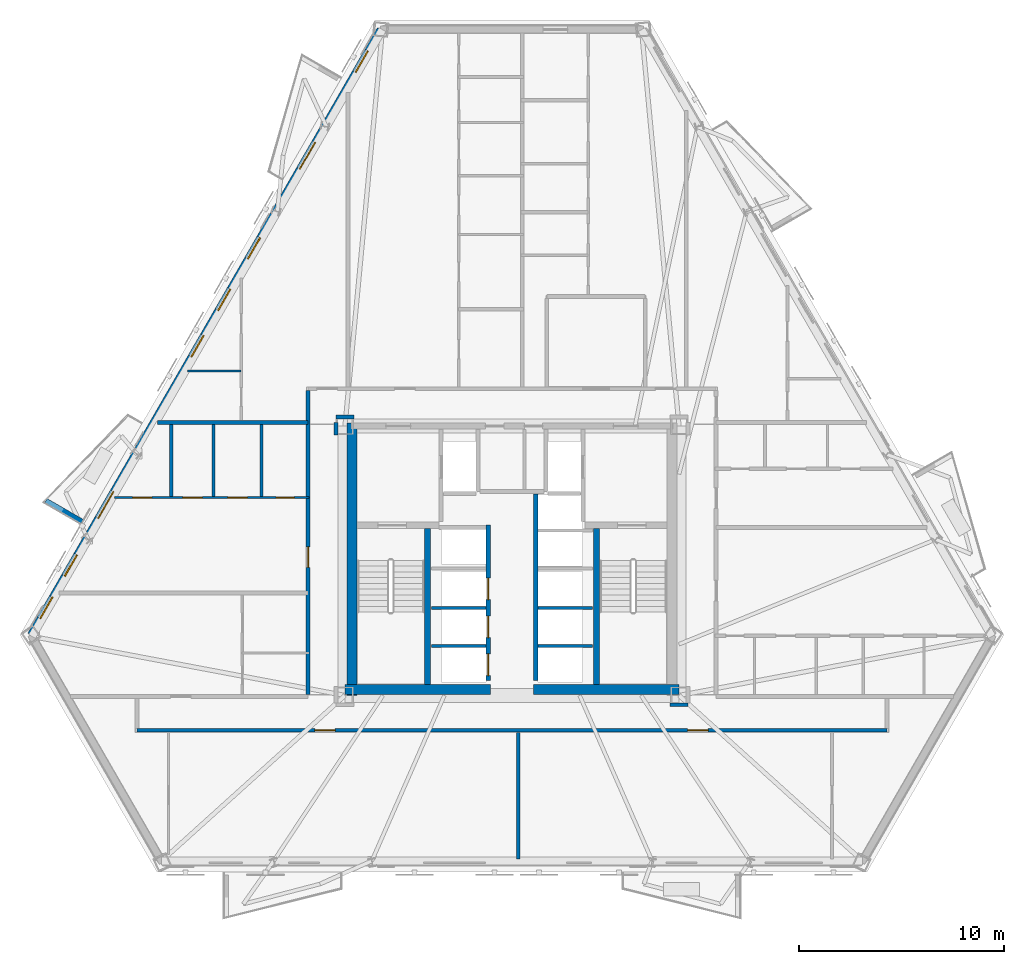
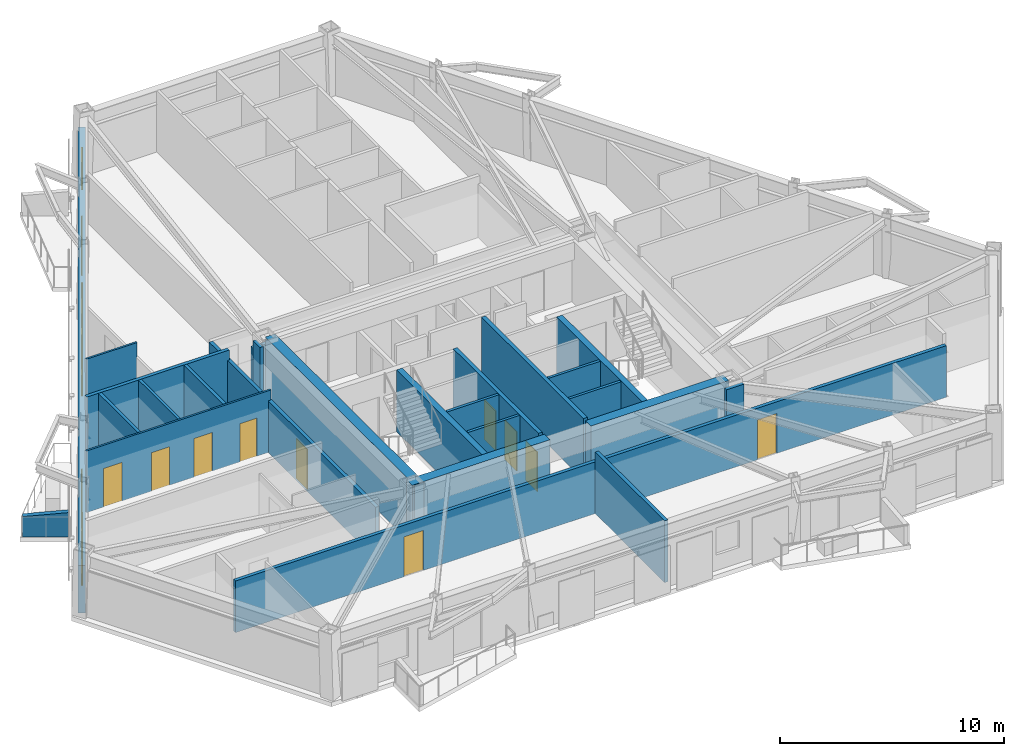
# One storey, part 3 of 11: 25 walls, 12 doors, 6 windows, 18 openings.
"""IFC4 building model written with IfcOpenShell, lengths in metres."""

from ifc_helpers import new_model, si_unit, direction, frame, frame_2d, origin, place, context, subcontext, project, spatial, polyline, rectangle, outline, extrude, material, layer, layer_set, type_object, element, fill, save


model = new_model("IFC4")

# Units and contexts
model_context = context("Model", 3, precision=1e-05, world=origin(), true_north=direction((0.0, 1.0)))
body_context = subcontext(model_context, "Body", "Model", "MODEL_VIEW")
ifc_project = project(units=[si_unit("LENGTHUNIT", "METRE"), si_unit("AREAUNIT", "SQUARE_METRE"), si_unit("VOLUMEUNIT", "CUBIC_METRE"), si_unit("PLANEANGLEUNIT", "RADIAN"), si_unit("MASSUNIT", "GRAM", prefix="KILO")], contexts=[model_context])

# Site, building, storey
site_placement = place(None, origin())
site = spatial("IfcSite", under=ifc_project, at=site_placement, CompositionType="ELEMENT")
building_placement = place(site_placement, origin())
building = spatial("IfcBuilding", under=site, at=building_placement, Name="Oramaril Tower", CompositionType="ELEMENT")
storey_placement = place(building_placement, frame((0.0, 0.0, 82.5)))
storey = spatial("IfcBuildingStorey", under=building, at=storey_placement, Name="L21", CompositionType="ELEMENT", Elevation=82.5)

# Wall, openings, doors, windows
ifc_material_1 = material(Name="Warm Cream Limestone", Category="masonry")
ifc_layer_1 = layer(ifc_material_1, 0.340087890625)
ifc_layer_set_1 = layer_set([ifc_layer_1], Name="WT-EXT34")
wall_type_1 = type_object("IfcWallType", Name="WT-EXT34", PredefinedType="SOLIDWALL", material=ifc_layer_set_1)
wall_1_placement = place(storey_placement, frame((31.078857421875, 43.499755859375, 0.0), z_axis=(0.0, 0.0, 1.0), x_axis=(-0.499998999238, -0.866025981574, 0.0)))
wall_1 = element("IfcWall", 1, at=wall_1_placement, inside=storey, type_object=wall_type_1, Name="L21 Tower Limestone Facade Wall 6M", PredefinedType="SOLIDWALL", context=body_context, shape_type="SweptSolid", body=[
    extrude(rectangle(XDim=34.1083984375, YDim=0.340087890625, at=frame_2d((17.05419921875, 0.0))), origin(), (0.0, 0.0, 1.0), 2.577880859375),
])
opening_1_placement = place(wall_1_placement, frame((6.369384765625, 0.0, 0.0)))
opening_1 = element("IfcOpeningElement", 2, at=opening_1_placement, cuts=wall_1, Name="Opening D-L21-BAL-NW1", PredefinedType="OPENING", context=body_context, shape_type="SweptSolid", body=[
    extrude(rectangle(XDim=1.5, YDim=2.199951171875, at=frame_2d((0.75, 1.10009765625))), frame((0.0, 0.169921875, 0.0), z_axis=(0.0, -1.0, 0.0), x_axis=(1.0, 0.0, 0.0)), (0.0, 0.0, 1.0), 0.340087890625),
])
opening_2_placement = place(wall_1_placement, frame((26.0439453125, 0.0, 0.0)))
opening_2 = element("IfcOpeningElement", 3, at=opening_2_placement, cuts=wall_1, Name="Opening D-L21-BAL-NW2", PredefinedType="OPENING", context=body_context, shape_type="SweptSolid", body=[
    extrude(rectangle(XDim=1.5, YDim=2.199951171875, at=frame_2d((0.75, 1.10009765625))), frame((0.0, 0.169921875, 0.0), z_axis=(0.0, -1.0, 0.0), x_axis=(1.0, 0.0, 0.0)), (0.0, 0.0, 1.0), 0.340087890625),
])
opening_3_placement = place(wall_1_placement, frame((31.989013671875, 0.0, 0.85009765625)))
opening_3 = element("IfcOpeningElement", 4, at=opening_3_placement, cuts=wall_1, Name="Opening WN-09", PredefinedType="OPENING", context=body_context, shape_type="SweptSolid", body=[
    extrude(rectangle(XDim=1.199951171875, YDim=1.47998046875, at=frame_2d((0.60009765625, 0.739990234375))), frame((0.0, 0.169921875, 0.0), z_axis=(0.0, -1.0, 0.0), x_axis=(1.0, 0.0, 0.0)), (0.0, 0.0, 1.0), 0.340087890625),
])
opening_4_placement = place(wall_1_placement, frame((29.606689453125, 0.0, 0.85009765625)))
opening_4 = element("IfcOpeningElement", 5, at=opening_4_placement, cuts=wall_1, Name="Opening WN-09", PredefinedType="OPENING", context=body_context, shape_type="SweptSolid", body=[
    extrude(rectangle(XDim=1.199951171875, YDim=1.47998046875, at=frame_2d((0.60009765625, 0.739990234375))), frame((0.0, 0.169921875, 0.0), z_axis=(0.0, -1.0, 0.0), x_axis=(1.0, 0.0, 0.0)), (0.0, 0.0, 1.0), 0.340087890625),
])
opening_5_placement = place(wall_1_placement, frame((11.736083984375, 0.0, 0.85009765625)))
opening_5 = element("IfcOpeningElement", 6, at=opening_5_placement, cuts=wall_1, Name="Opening WN-09", PredefinedType="OPENING", context=body_context, shape_type="SweptSolid", body=[
    extrude(rectangle(XDim=1.199951171875, YDim=1.47998046875, at=frame_2d((0.60009765625, 0.739990234375))), frame((0.0, 0.169921875, 0.0), z_axis=(0.0, -1.0, 0.0), x_axis=(1.0, 0.0, 0.0)), (0.0, 0.0, 1.0), 0.340087890625),
])
opening_6_placement = place(wall_1_placement, frame((14.63525390625, 0.0, 0.85009765625)))
opening_6 = element("IfcOpeningElement", 7, at=opening_6_placement, cuts=wall_1, Name="Opening WN-09", PredefinedType="OPENING", context=body_context, shape_type="SweptSolid", body=[
    extrude(rectangle(XDim=1.199951171875, YDim=1.47998046875, at=frame_2d((0.60009765625, 0.739990234375))), frame((0.0, 0.169921875, 0.0), z_axis=(0.0, -1.0, 0.0), x_axis=(1.0, 0.0, 0.0)), (0.0, 0.0, 1.0), 0.340087890625),
])
opening_7_placement = place(wall_1_placement, frame((17.247802734375, 0.0, 0.85009765625)))
opening_7 = element("IfcOpeningElement", 8, at=opening_7_placement, cuts=wall_1, Name="Opening WN-09", PredefinedType="OPENING", context=body_context, shape_type="SweptSolid", body=[
    extrude(rectangle(XDim=1.199951171875, YDim=1.47998046875, at=frame_2d((0.60009765625, 0.739990234375))), frame((0.0, 0.169921875, 0.0), z_axis=(0.0, -1.0, 0.0), x_axis=(1.0, 0.0, 0.0)), (0.0, 0.0, 1.0), 0.340087890625),
])
opening_8_placement = place(wall_1_placement, frame((1.220458984375, 0.0, 0.85009765625)))
opening_8 = element("IfcOpeningElement", 9, at=opening_8_placement, cuts=wall_1, Name="Opening WN-09", PredefinedType="OPENING", context=body_context, shape_type="SweptSolid", body=[
    extrude(rectangle(XDim=1.199951171875, YDim=1.47998046875, at=frame_2d((0.60009765625, 0.739990234375))), frame((0.0, 0.169921875, 0.0), z_axis=(0.0, -1.0, 0.0), x_axis=(1.0, 0.0, 0.0)), (0.0, 0.0, 1.0), 0.340087890625),
])
ifc_material_2 = material(Name="Anodised Aluminium 6063-T6", Category="aluminium")
door_type_1 = type_object("IfcDoorType", Name="DT-BAL", OperationType="NOTDEFINED", PredefinedType="DOOR", material=ifc_material_2)
door_1_placement = place(opening_1_placement, origin())
door_1 = element("IfcDoor", 10, at=door_1_placement, inside=storey, type_object=door_type_1, Name="L21 Balcony Glazed Door L21-BAL-NW1", OperationType="SINGLE_SWING_RIGHT", OverallHeight=2.199951171875, OverallWidth=1.5, PredefinedType="DOOR", context=body_context, shape_type="SweptSolid", body=[
    extrude(rectangle(XDim=1.5, YDim=2.199951171875, at=frame_2d((0.75, 1.10009765625))), frame((0.0, 0.02490234375, 0.0), z_axis=(0.0, -1.0, 0.0), x_axis=(1.0, 0.0, 0.0)), (0.0, 0.0, 1.0), 0.050048828125),
])
fill(opening_1, door_1)
door_2_placement = place(opening_2_placement, origin())
door_2 = element("IfcDoor", 11, at=door_2_placement, inside=storey, type_object=door_type_1, Name="L21 Balcony Glazed Door L21-BAL-NW2", OperationType="SINGLE_SWING_LEFT", OverallHeight=2.199951171875, OverallWidth=1.5, PredefinedType="DOOR", context=body_context, shape_type="SweptSolid", body=[
    extrude(rectangle(XDim=1.5, YDim=2.199951171875, at=frame_2d((0.75, 1.10009765625))), frame((0.0, 0.02490234375, 0.0), z_axis=(0.0, -1.0, 0.0), x_axis=(1.0, 0.0, 0.0)), (0.0, 0.0, 1.0), 0.050048828125),
])
fill(opening_2, door_2)
ifc_material_3 = material(Name="Coastal Low-E Insulated Glass", Category="glass")
window_type = type_object("IfcWindowType", Name="WNT-09", PartitioningType="SINGLE_PANEL", PredefinedType="WINDOW", material=ifc_material_3)
window_1_placement = place(opening_3_placement, origin())
window_1 = element("IfcWindow", 12, at=window_1_placement, inside=storey, type_object=window_type, Name="L21 Chicago Bay Window WN-09", OverallHeight=1.47998046875, OverallWidth=1.199951171875, PartitioningType="SINGLE_PANEL", PredefinedType="WINDOW", context=body_context, shape_type="SweptSolid", body=[
    extrude(rectangle(XDim=1.199951171875, YDim=1.47998046875, at=frame_2d((0.60009765625, 0.739990234375))), frame((0.0, 0.030029296875, 0.0), z_axis=(0.0, -1.0, 0.0), x_axis=(1.0, 0.0, 0.0)), (0.0, 0.0, 1.0), 0.06005859375),
])
fill(opening_3, window_1)
window_2_placement = place(opening_4_placement, origin())
window_2 = element("IfcWindow", 13, at=window_2_placement, inside=storey, type_object=window_type, Name="L21 Chicago Bay Window WN-09", OverallHeight=1.47998046875, OverallWidth=1.199951171875, PartitioningType="SINGLE_PANEL", PredefinedType="WINDOW", context=body_context, shape_type="SweptSolid", body=[
    extrude(rectangle(XDim=1.199951171875, YDim=1.47998046875, at=frame_2d((0.60009765625, 0.739990234375))), frame((0.0, 0.030029296875, 0.0), z_axis=(0.0, -1.0, 0.0), x_axis=(1.0, 0.0, 0.0)), (0.0, 0.0, 1.0), 0.06005859375),
])
fill(opening_4, window_2)
window_3_placement = place(opening_5_placement, origin())
window_3 = element("IfcWindow", 14, at=window_3_placement, inside=storey, type_object=window_type, Name="L21 Chicago Bay Window WN-09", OverallHeight=1.47998046875, OverallWidth=1.199951171875, PartitioningType="SINGLE_PANEL", PredefinedType="WINDOW", context=body_context, shape_type="SweptSolid", body=[
    extrude(rectangle(XDim=1.199951171875, YDim=1.47998046875, at=frame_2d((0.60009765625, 0.739990234375))), frame((0.0, 0.030029296875, 0.0), z_axis=(0.0, -1.0, 0.0), x_axis=(1.0, 0.0, 0.0)), (0.0, 0.0, 1.0), 0.06005859375),
])
fill(opening_5, window_3)
window_4_placement = place(opening_6_placement, origin())
window_4 = element("IfcWindow", 15, at=window_4_placement, inside=storey, type_object=window_type, Name="L21 Chicago Bay Window WN-09", OverallHeight=1.47998046875, OverallWidth=1.199951171875, PartitioningType="SINGLE_PANEL", PredefinedType="WINDOW", context=body_context, shape_type="SweptSolid", body=[
    extrude(rectangle(XDim=1.199951171875, YDim=1.47998046875, at=frame_2d((0.60009765625, 0.739990234375))), frame((0.0, 0.030029296875, 0.0), z_axis=(0.0, -1.0, 0.0), x_axis=(1.0, 0.0, 0.0)), (0.0, 0.0, 1.0), 0.06005859375),
])
fill(opening_6, window_4)
window_5_placement = place(opening_7_placement, origin())
window_5 = element("IfcWindow", 16, at=window_5_placement, inside=storey, type_object=window_type, Name="L21 Chicago Bay Window WN-09", OverallHeight=1.47998046875, OverallWidth=1.199951171875, PartitioningType="SINGLE_PANEL", PredefinedType="WINDOW", context=body_context, shape_type="SweptSolid", body=[
    extrude(rectangle(XDim=1.199951171875, YDim=1.47998046875, at=frame_2d((0.60009765625, 0.739990234375))), frame((0.0, 0.030029296875, 0.0), z_axis=(0.0, -1.0, 0.0), x_axis=(1.0, 0.0, 0.0)), (0.0, 0.0, 1.0), 0.06005859375),
])
fill(opening_7, window_5)
window_6_placement = place(opening_8_placement, origin())
window_6 = element("IfcWindow", 17, at=window_6_placement, inside=storey, type_object=window_type, Name="L21 Chicago Bay Window WN-09", OverallHeight=1.47998046875, OverallWidth=1.199951171875, PartitioningType="SINGLE_PANEL", PredefinedType="WINDOW", context=body_context, shape_type="SweptSolid", body=[
    extrude(rectangle(XDim=1.199951171875, YDim=1.47998046875, at=frame_2d((0.60009765625, 0.739990234375))), frame((0.0, 0.030029296875, 0.0), z_axis=(0.0, -1.0, 0.0), x_axis=(1.0, 0.0, 0.0)), (0.0, 0.0, 1.0), 0.06005859375),
])
fill(opening_8, window_6)

# Wall
ifc_material_4 = material(Name="Concrete C40/50", Category="concrete")
ifc_layer_2 = layer(ifc_material_4, 0.22998046875)
ifc_layer_set_2 = layer_set([ifc_layer_2], Name="WT-PRP23")
wall_type_2 = type_object("IfcWallType", Name="WT-PRP23", PredefinedType="PARAPET", material=ifc_layer_set_2)
wall_2_placement = place(storey_placement, frame((16.526611328125, 19.490234375, 0.0), z_axis=(0.0, 0.0, 1.0), x_axis=(-0.866042246008, 0.499970827278, 0.0)))
element("IfcWall", 18, at=wall_2_placement, inside=storey, type_object=wall_type_2, Name="L21 Trapezoidal Balcony Frame Cheek L21-BAL-NW2-R", PredefinedType="PARAPET", context=body_context, shape_type="SweptSolid", body=[
    extrude(outline(polyline([(0.0, 0.0), (2.0419921875, 0.0), (2.0419921875, 1.10009765625), (0.0, 1.320068359375), (0.0, 0.0)])), frame((0.0, 0.114990234375, 0.0), z_axis=(0.0, -1.0, 0.0), x_axis=(1.0, 0.0, 0.0)), (0.0, 0.0, 1.0), 0.22998046875),
])

# Wall, openings, doors
ifc_material_5 = material(Name="Acoustic Gypsum Board Partition")
ifc_layer_3 = layer(ifc_material_5, 0.10009765625)
ifc_layer_set_3 = layer_set([ifc_layer_3], Name="WT-PT10")
wall_type_3 = type_object("IfcWallType", Name="WT-PT10", PredefinedType="PARTITIONING", material=ifc_layer_set_3)
wall_3_placement = place(storey_placement, frame((18.09326171875, 20.659912109375, 0.0), z_axis=(0.0, 0.0, 1.0), x_axis=(1.0, 0.0, 0.0)))
wall_3 = element("IfcWall", 19, at=wall_3_placement, inside=storey, type_object=wall_type_3, Name="L21 Interior Partition PT-10", PredefinedType="PARTITIONING", context=body_context, shape_type="SweptSolid", body=[
    extrude(rectangle(XDim=9.5068359375, YDim=0.10009765625, at=frame_2d((4.75341796875, 0.0))), origin(), (0.0, 0.0, 1.0), 3.360107421875),
])
opening_9_placement = place(wall_3_placement, frame((0.889892578125, 0.0, 0.0)))
opening_9 = element("IfcOpeningElement", 20, at=opening_9_placement, cuts=wall_3, Name="Opening D-L21-09", PredefinedType="OPENING", context=body_context, shape_type="SweptSolid", body=[
    extrude(rectangle(XDim=0.949951171875, YDim=2.10009765625, at=frame_2d((0.47509765625, 1.050048828125))), frame((0.0, 0.050048828125, 0.0), z_axis=(0.0, -1.0, 0.0), x_axis=(1.0, 0.0, 0.0)), (0.0, 0.0, 1.0), 0.10009765625),
])
opening_10_placement = place(wall_3_placement, frame((3.34375, 0.0, 0.0)))
opening_10 = element("IfcOpeningElement", 21, at=opening_10_placement, cuts=wall_3, Name="Opening D-L21-10", PredefinedType="OPENING", context=body_context, shape_type="SweptSolid", body=[
    extrude(rectangle(XDim=0.949951171875, YDim=2.10009765625, at=frame_2d((0.47509765625, 1.050048828125))), frame((0.0, 0.050048828125, 0.0), z_axis=(0.0, -1.0, 0.0), x_axis=(1.0, 0.0, 0.0)), (0.0, 0.0, 1.0), 0.10009765625),
])
opening_11_placement = place(wall_3_placement, frame((5.54541015625, 0.0, 0.0)))
opening_11 = element("IfcOpeningElement", 22, at=opening_11_placement, cuts=wall_3, Name="Opening D-L21-11", PredefinedType="OPENING", context=body_context, shape_type="SweptSolid", body=[
    extrude(rectangle(XDim=0.949951171875, YDim=2.10009765625, at=frame_2d((0.47509765625, 1.050048828125))), frame((0.0, 0.050048828125, 0.0), z_axis=(0.0, -1.0, 0.0), x_axis=(1.0, 0.0, 0.0)), (0.0, 0.0, 1.0), 0.10009765625),
])
opening_12_placement = place(wall_3_placement, frame((7.89892578125, 0.0, 0.0)))
opening_12 = element("IfcOpeningElement", 23, at=opening_12_placement, cuts=wall_3, Name="Opening D-L21-12", PredefinedType="OPENING", context=body_context, shape_type="SweptSolid", body=[
    extrude(rectangle(XDim=0.8798828125, YDim=2.080078125, at=frame_2d((0.43994140625, 1.0400390625))), frame((0.0, 0.050048828125, 0.0), z_axis=(0.0, -1.0, 0.0), x_axis=(1.0, 0.0, 0.0)), (0.0, 0.0, 1.0), 0.10009765625),
])
ifc_material_6 = material(Name="FSC Brazilian Freijo Hardwood", Category="wood")
door_type_2 = type_object("IfcDoorType", Name="DT-BATH", OperationType="NOTDEFINED", PredefinedType="DOOR", material=ifc_material_6)
door_3_placement = place(opening_12_placement, origin())
door_3 = element("IfcDoor", 24, at=door_3_placement, inside=storey, type_object=door_type_2, Name="L21 Flat L21-U4 Bathroom Door D-L21-12", OperationType="SINGLE_SWING_RIGHT", OverallHeight=2.080078125, OverallWidth=0.8798828125, PredefinedType="DOOR", context=body_context, shape_type="SweptSolid", body=[
    extrude(rectangle(XDim=0.8798828125, YDim=2.080078125, at=frame_2d((0.43994140625, 1.0400390625))), frame((0.0, 0.02490234375, 0.0), z_axis=(0.0, -1.0, 0.0), x_axis=(1.0, 0.0, 0.0)), (0.0, 0.0, 1.0), 0.050048828125),
])
fill(opening_12, door_3)
ifc_material_7 = material(Name="FSC Brazilian Freijo Hardwood", Category="wood")
door_type_3 = type_object("IfcDoorType", Name="DT-STDY", OperationType="NOTDEFINED", PredefinedType="DOOR", material=ifc_material_7)
door_4_placement = place(opening_9_placement, origin())
door_4 = element("IfcDoor", 25, at=door_4_placement, inside=storey, type_object=door_type_3, Name="L21 Flat L21-U4 Breakfast Dining Room Door D-L21-09", OperationType="SINGLE_SWING_LEFT", OverallHeight=2.10009765625, OverallWidth=0.949951171875, PredefinedType="DOOR", context=body_context, shape_type="SweptSolid", body=[
    extrude(rectangle(XDim=0.949951171875, YDim=2.10009765625, at=frame_2d((0.47509765625, 1.050048828125))), frame((0.0, 0.02490234375, 0.0), z_axis=(0.0, -1.0, 0.0), x_axis=(1.0, 0.0, 0.0)), (0.0, 0.0, 1.0), 0.050048828125),
])
fill(opening_9, door_4)
door_5_placement = place(opening_10_placement, origin())
door_5 = element("IfcDoor", 26, at=door_5_placement, inside=storey, type_object=door_type_3, Name="L21 Flat L21-U4 Dining Room Door D-L21-10", OperationType="SINGLE_SWING_RIGHT", OverallHeight=2.10009765625, OverallWidth=0.949951171875, PredefinedType="DOOR", context=body_context, shape_type="SweptSolid", body=[
    extrude(rectangle(XDim=0.949951171875, YDim=2.10009765625, at=frame_2d((0.47509765625, 1.050048828125))), frame((0.0, 0.02490234375, 0.0), z_axis=(0.0, -1.0, 0.0), x_axis=(1.0, 0.0, 0.0)), (0.0, 0.0, 1.0), 0.050048828125),
])
fill(opening_10, door_5)
door_6_placement = place(opening_11_placement, origin())
door_6 = element("IfcDoor", 27, at=door_6_placement, inside=storey, type_object=door_type_3, Name="L21 Flat L21-U4 Kitchen Door D-L21-11", OperationType="SINGLE_SWING_LEFT", OverallHeight=2.10009765625, OverallWidth=0.949951171875, PredefinedType="DOOR", context=body_context, shape_type="SweptSolid", body=[
    extrude(rectangle(XDim=0.949951171875, YDim=2.10009765625, at=frame_2d((0.47509765625, 1.050048828125))), frame((0.0, 0.02490234375, 0.0), z_axis=(0.0, -1.0, 0.0), x_axis=(1.0, 0.0, 0.0)), (0.0, 0.0, 1.0), 0.050048828125),
])
fill(opening_11, door_6)

# Walls
wall_4_placement = place(storey_placement, frame((21.661376953125, 26.840087890625, 0.0), z_axis=(0.0, 0.0, 1.0), x_axis=(1.0, 0.0, 0.0)))
element("IfcWall", 28, at=wall_4_placement, inside=storey, type_object=wall_type_3, Name="L21 Interior Partition PT-10", PredefinedType="PARTITIONING", context=body_context, shape_type="SweptSolid", body=[
    extrude(rectangle(XDim=2.61865234375, YDim=0.10009765625, at=frame_2d((1.309326171875, 0.0))), origin(), (0.0, 0.0, 1.0), 3.360107421875),
])
ifc_material_8 = material(Name="Acoustic Gypsum Board Partition")
ifc_layer_4 = layer(ifc_material_8, 0.139892578125)
ifc_layer_set_4 = layer_set([ifc_layer_4], Name="WT-PT14")
wall_type_4 = type_object("IfcWallType", Name="WT-PT14", PredefinedType="PARTITIONING", material=ifc_layer_set_4)
for number, where, z_axis, x_axis, name in (
    (29, (33.56005859375, 13.419921875, 0.0), (0.0, 0.0, 1.0), (1.0, 0.0, 0.0), "L21 West Lift Divider"),
    (30, (33.56005859375, 15.27001953125, 0.0), (0.0, 0.0, 1.0), (1.0, 0.0, 0.0), "L21 West Lift Divider"),
    (31, (38.780029296875, 13.419921875, 0.0), (0.0, 0.0, 1.0), (1.0, 0.0, 0.0), "L21 East Lift Divider"),
    (32, (38.780029296875, 15.27001953125, 0.0), (0.0, 0.0, 1.0), (1.0, 0.0, 0.0), "L21 East Lift Divider"),
):
    element("IfcWall", number, at=place(storey_placement, frame(where, z_axis=z_axis, x_axis=x_axis)), inside=storey, type_object=wall_type_4, Name=name, PredefinedType="PARTITIONING", context=body_context, shape_type="SweptSolid", body=[
        extrude(rectangle(XDim=2.659912109375, YDim=0.139892578125, at=frame_2d((1.330078125, 0.0))), origin(), (0.0, 0.0, 1.0), 3.360107421875),
    ])
wall_5_placement = place(storey_placement, frame((22.93994140625, 20.714111328125, 0.0), z_axis=(0.0, 0.0, 1.0), x_axis=(0.0, 1.0, 0.0)))
element("IfcWall", 33, at=wall_5_placement, inside=storey, type_object=wall_type_4, Name="L21 Interior Partition PT-14", PredefinedType="PARTITIONING", context=body_context, shape_type="SweptSolid", body=[
    extrude(rectangle(XDim=3.511962890625, YDim=0.139892578125, at=frame_2d((1.755859375, 0.0))), origin(), (0.0, 0.0, 1.0), 3.360107421875),
])
ifc_material_9 = material(Name="Acoustic Gypsum Board Partition")
ifc_layer_5 = layer(ifc_material_9, 0.159912109375)
ifc_layer_set_5 = layer_set([ifc_layer_5], Name="WT-PT16")
wall_type_5 = type_object("IfcWallType", Name="WT-PT16", PredefinedType="PARTITIONING", material=ifc_layer_set_5)
for number, where, z_axis, x_axis, name in (
    (34, (20.8798828125, 20.714111328125, 0.0), (0.0, 0.0, 1.0), (0.0, 1.0, 0.0), "L21 Interior Partition PT-16"),
    (35, (25.280029296875, 20.714111328125, 0.0), (0.0, 0.0, 1.0), (0.0, 1.0, 0.0), "L21 Interior Partition PT-16"),
):
    element("IfcWall", number, at=place(storey_placement, frame(where, z_axis=z_axis, x_axis=x_axis)), inside=storey, type_object=wall_type_5, Name=name, PredefinedType="PARTITIONING", context=body_context, shape_type="SweptSolid", body=[
        extrude(rectangle(XDim=3.511962890625, YDim=0.159912109375, at=frame_2d((1.755859375, 0.0))), origin(), (0.0, 0.0, 1.0), 3.360107421875),
    ])

# Wall, openings, doors
ifc_material_10 = material(Name="Autoclaved Cellular Concrete Block", Category="concrete")
ifc_layer_6 = layer(ifc_material_10, 0.179931640625)
ifc_layer_set_6 = layer_set([ifc_layer_6], Name="WT-PT18")
wall_type_6 = type_object("IfcWallType", Name="WT-PT18", PredefinedType="PARTITIONING", material=ifc_layer_set_6)
wall_6_placement = place(storey_placement, frame((19.199951171875, 9.300048828125, 0.0), z_axis=(0.0, 0.0, 1.0), x_axis=(1.0, 0.0, 0.0)))
wall_6 = element("IfcWall", 36, at=wall_6_placement, inside=storey, type_object=wall_type_6, Name="L21 Interior Partition PT-18", PredefinedType="PARTITIONING", context=body_context, shape_type="SweptSolid", body=[
    extrude(rectangle(XDim=36.60009765625, YDim=0.179931640625, at=frame_2d((18.300048828125, 0.0))), origin(), (0.0, 0.0, 1.0), 2.81396484375),
])
opening_13_placement = place(wall_6_placement, frame((8.675537109375, 0.0, 0.0)))
opening_13 = element("IfcOpeningElement", 37, at=opening_13_placement, cuts=wall_6, Name="Opening D-L21-01", PredefinedType="OPENING", context=body_context, shape_type="SweptSolid", body=[
    extrude(rectangle(XDim=1.0, YDim=2.179931640625, at=frame_2d((0.5, 1.08984375))), frame((0.0, 0.08984375, 0.0), z_axis=(0.0, -1.0, 0.0), x_axis=(1.0, 0.0, 0.0)), (0.0, 0.0, 1.0), 0.179931640625),
])
opening_14_placement = place(wall_6_placement, frame((26.869140625, 0.0, 0.0)))
opening_14 = element("IfcOpeningElement", 38, at=opening_14_placement, cuts=wall_6, Name="Opening D-L21-02", PredefinedType="OPENING", context=body_context, shape_type="SweptSolid", body=[
    extrude(rectangle(XDim=1.0, YDim=2.179931640625, at=frame_2d((0.5, 1.08984375))), frame((0.0, 0.08984375, 0.0), z_axis=(0.0, -1.0, 0.0), x_axis=(1.0, 0.0, 0.0)), (0.0, 0.0, 1.0), 0.179931640625),
])
ifc_material_11 = material(Name="FSC Brazilian Freijo Hardwood", Category="wood")
door_type_4 = type_object("IfcDoorType", Name="DT-APT", OperationType="NOTDEFINED", PredefinedType="DOOR", material=ifc_material_11)
door_7_placement = place(opening_13_placement, origin())
door_7 = element("IfcDoor", 39, at=door_7_placement, inside=storey, type_object=door_type_4, Name="L21 Flat L21-U1 Kitchen and Studio Apartment Door D-L21-01", OperationType="SINGLE_SWING_LEFT", OverallHeight=2.179931640625, OverallWidth=1.0, PredefinedType="DOOR", context=body_context, shape_type="SweptSolid", body=[
    extrude(rectangle(XDim=1.0, YDim=2.179931640625, at=frame_2d((0.5, 1.08984375))), frame((0.0, 0.02490234375, 0.0), z_axis=(0.0, -1.0, 0.0), x_axis=(1.0, 0.0, 0.0)), (0.0, 0.0, 1.0), 0.050048828125),
])
fill(opening_13, door_7)
door_8_placement = place(opening_14_placement, origin())
door_8 = element("IfcDoor", 40, at=door_8_placement, inside=storey, type_object=door_type_4, Name="L21 Flat L21-U2 Kitchen and Studio Apartment Door D-L21-02", OperationType="SINGLE_SWING_RIGHT", OverallHeight=2.179931640625, OverallWidth=1.0, PredefinedType="DOOR", context=body_context, shape_type="SweptSolid", body=[
    extrude(rectangle(XDim=1.0, YDim=2.179931640625, at=frame_2d((0.5, 1.08984375))), frame((0.0, 0.02490234375, 0.0), z_axis=(0.0, -1.0, 0.0), x_axis=(1.0, 0.0, 0.0)), (0.0, 0.0, 1.0), 0.050048828125),
])
fill(opening_14, door_8)

# Walls
wall_7_placement = place(storey_placement, frame((45.205078125, 10.550048828125, 0.0), z_axis=(0.0, 0.0, 1.0), x_axis=(1.0, 0.0, 0.0)))
element("IfcWall", 41, at=wall_7_placement, inside=storey, type_object=wall_type_6, Name="L21 Interior Partition PT-18", PredefinedType="PARTITIONING", context=body_context, shape_type="SweptSolid", body=[
    extrude(rectangle(XDim=0.889892578125, YDim=0.179931640625, at=frame_2d((0.44482421875, 0.0))), origin(), (0.0, 0.0, 1.0), 3.360107421875),
])
wall_8_placement = place(storey_placement, frame((20.206298828125, 24.320068359375, 0.0), z_axis=(0.0, 0.0, 1.0), x_axis=(1.0, 0.0, 0.0)))
element("IfcWall", 42, at=wall_8_placement, inside=storey, type_object=wall_type_6, Name="L21 Interior Partition PT-18", PredefinedType="PARTITIONING", context=body_context, shape_type="SweptSolid", body=[
    extrude(rectangle(XDim=7.34375, YDim=0.179931640625, at=frame_2d((3.671875, 0.0))), origin(), (0.0, 0.0, 1.0), 3.360107421875),
])
wall_9_placement = place(storey_placement, frame((28.909912109375, 24.590087890625, 0.0), z_axis=(0.0, 0.0, 1.0), x_axis=(1.0, 0.0, 0.0)))
element("IfcWall", 43, at=wall_9_placement, inside=storey, type_object=wall_type_6, Name="L21 Interior Partition PT-18", PredefinedType="PARTITIONING", context=body_context, shape_type="SweptSolid", body=[
    extrude(rectangle(XDim=0.880126953125, YDim=0.179931640625, at=frame_2d((0.43994140625, 0.0))), origin(), (0.0, 0.0, 1.0), 2.81396484375),
])

# Wall, opening, door
wall_10_placement = place(storey_placement, frame((27.550048828125, 11.0439453125, 0.0), z_axis=(0.0, 0.0, 1.0), x_axis=(0.0, 1.0, 0.0)))
wall_10 = element("IfcWall", 44, at=wall_10_placement, inside=storey, type_object=wall_type_6, Name="L21 Interior Partition PT-18", PredefinedType="PARTITIONING", context=body_context, shape_type="SweptSolid", body=[
    extrude(rectangle(XDim=14.83203125, YDim=0.179931640625, at=frame_2d((7.416015625, 0.0))), origin(), (0.0, 0.0, 1.0), 2.81396484375),
])
opening_15_placement = place(wall_10_placement, frame((6.20849609375, 0.0, 0.0)))
opening_15 = element("IfcOpeningElement", 45, at=opening_15_placement, cuts=wall_10, Name="Opening D-L21-25", PredefinedType="OPENING", context=body_context, shape_type="SweptSolid", body=[
    extrude(rectangle(XDim=1.0, YDim=2.179931640625, at=frame_2d((0.5, 1.08984375))), frame((0.0, 0.08984375, 0.0), z_axis=(0.0, -1.0, 0.0), x_axis=(1.0, 0.0, 0.0)), (0.0, 0.0, 1.0), 0.179931640625),
])
door_9_placement = place(opening_15_placement, origin())
door_9 = element("IfcDoor", 46, at=door_9_placement, inside=storey, type_object=door_type_4, Name="L21 Flat L21-U4 Studio Apartment Door D-L21-25", OperationType="SINGLE_SWING_LEFT", OverallHeight=2.179931640625, OverallWidth=1.0, PredefinedType="DOOR", context=body_context, shape_type="SweptSolid", body=[
    extrude(rectangle(XDim=1.0, YDim=2.179931640625, at=frame_2d((0.5, 1.08984375))), frame((0.0, 0.02490234375, 0.0), z_axis=(0.0, -1.0, 0.0), x_axis=(1.0, 0.0, 0.0)), (0.0, 0.0, 1.0), 0.050048828125),
])
fill(opening_15, door_9)

# Walls
wall_11_placement = place(storey_placement, frame((28.909912109375, 23.7099609375, 0.0), z_axis=(0.0, 0.0, 1.0), x_axis=(0.0, 1.0, 0.0)))
element("IfcWall", 47, at=wall_11_placement, inside=storey, type_object=wall_type_6, Name="L21 Interior Partition PT-18", PredefinedType="PARTITIONING", context=body_context, shape_type="SweptSolid", body=[
    extrude(rectangle(XDim=0.610107421875, YDim=0.179931640625, at=frame_2d((0.30517578125, 0.0))), origin(), (0.0, 0.0, 1.0), 3.360107421875),
])
wall_12_placement = place(storey_placement, frame((37.800048828125, 3.01318359375, 0.0), z_axis=(0.0, 0.0, 1.0), x_axis=(0.0, 1.0, 0.0)))
element("IfcWall", 48, at=wall_12_placement, inside=storey, type_object=wall_type_6, Name="L21 Interior Partition PT-18", PredefinedType="PARTITIONING", context=body_context, shape_type="SweptSolid", body=[
    extrude(rectangle(XDim=6.19287109375, YDim=0.179931640625, at=frame_2d((3.096435546875, 0.0))), origin(), (0.0, 0.0, 1.0), 3.360107421875),
])
ifc_material_12 = material(Name="Concrete C50/60", Category="concrete")
ifc_layer_7 = layer(ifc_material_12, 0.300048828125)
ifc_layer_set_7 = layer_set([ifc_layer_7], Name="WT-SH30")
wall_type_7 = type_object("IfcWallType", Name="WT-SH30", PredefinedType="SHEAR", material=ifc_layer_set_7)
for number, where, z_axis, x_axis, name in (
    (49, (33.3798828125, 11.5400390625, 0.0), (0.0, 0.0, 1.0), (0.0, 1.0, 0.0), "L21 Core Shear Wall CW-ST1E"),
    (50, (41.6201171875, 11.5400390625, 0.0), (0.0, 0.0, 1.0), (0.0, 1.0, 0.0), "L21 Core Shear Wall CW-ST2W"),
):
    element("IfcWall", number, at=place(storey_placement, frame(where, z_axis=z_axis, x_axis=x_axis)), inside=storey, type_object=wall_type_7, Name=name, PredefinedType="SHEAR", context=body_context, shape_type="SweptSolid", body=[
        extrude(rectangle(XDim=7.619873046875, YDim=0.300048828125, at=frame_2d((3.81005859375, 0.0))), origin(), (0.0, 0.0, 1.0), 3.360107421875),
    ])
ifc_material_13 = material(Name="Concrete C50/60", Category="concrete")
ifc_layer_8 = layer(ifc_material_13, 0.5)
ifc_layer_set_8 = layer_set([ifc_layer_8], Name="WT-SH50")
wall_type_8 = type_object("IfcWallType", Name="WT-SH50", PredefinedType="SHEAR", material=ifc_layer_set_8)
wall_13_placement = place(storey_placement, frame((29.68994140625, 11.0, 0.0), z_axis=(0.0, 0.0, 1.0), x_axis=(0.0, 1.0, 0.0)))
element("IfcWall", 51, at=wall_13_placement, inside=storey, type_object=wall_type_8, Name="L21 Core Shear Wall CW-W", PredefinedType="SHEAR", context=body_context, shape_type="SweptSolid", body=[
    extrude(rectangle(XDim=13.300048828125, YDim=0.5, at=frame_2d((6.64990234375, 0.0))), origin(), (0.0, 0.0, 1.0), 3.360107421875),
])
for number, where, z_axis, x_axis, name in (
    (52, (29.35009765625, 11.2900390625, 0.0), (0.0, 0.0, 1.0), (1.0, 0.0, 0.0), "L21 Core Shear Wall CW-SW"),
    (53, (38.550048828125, 11.2900390625, 0.0), (0.0, 0.0, 1.0), (1.0, 0.0, 0.0), "L21 Core Shear Wall CW-SE"),
):
    element("IfcWall", number, at=place(storey_placement, frame(where, z_axis=z_axis, x_axis=x_axis)), inside=storey, type_object=wall_type_8, Name=name, PredefinedType="SHEAR", context=body_context, shape_type="SweptSolid", body=[
        extrude(rectangle(XDim=7.099853515625, YDim=0.5, at=frame_2d((3.5498046875, 0.0))), origin(), (0.0, 0.0, 1.0), 3.360107421875),
    ])

# Wall, openings, doors
ifc_material_14 = material(Name="Autoclaved Cellular Concrete Block", Category="concrete")
ifc_layer_9 = layer(ifc_material_14, 0.199951171875)
ifc_layer_set_9 = layer_set([ifc_layer_9], Name="WT-SHF20")
wall_type_9 = type_object("IfcWallType", Name="WT-SHF20", PredefinedType="PARTITIONING", material=ifc_layer_set_9)
wall_14_placement = place(storey_placement, frame((36.340087890625, 11.719970703125, 0.0), z_axis=(0.0, 0.0, 1.0), x_axis=(0.0, 1.0, 0.0)))
wall_14 = element("IfcWall", 54, at=wall_14_placement, inside=storey, type_object=wall_type_9, Name="L21 West Lift Bank Front Wall", PredefinedType="PARTITIONING", context=body_context, shape_type="SweptSolid", body=[
    extrude(rectangle(XDim=7.60009765625, YDim=0.199951171875, at=frame_2d((3.800048828125, 0.0))), origin(), (0.0, 0.0, 1.0), 3.360107421875),
])
opening_16_placement = place(wall_14_placement, frame((0.2548828125, 0.0, 0.0)))
opening_16 = element("IfcOpeningElement", 55, at=opening_16_placement, cuts=wall_14, Name="Opening LD-L21-LP-L1", PredefinedType="OPENING", context=body_context, shape_type="SweptSolid", body=[
    extrude(rectangle(XDim=1.050048828125, YDim=2.14990234375, at=frame_2d((0.52490234375, 1.074951171875))), frame((0.0, 0.10009765625, 0.0), z_axis=(0.0, -1.0, 0.0), x_axis=(1.0, 0.0, 0.0)), (0.0, 0.0, 1.0), 0.199951171875),
])
opening_17_placement = place(wall_14_placement, frame((2.10498046875, 0.0, 0.0)))
opening_17 = element("IfcOpeningElement", 56, at=opening_17_placement, cuts=wall_14, Name="Opening LD-L21-LP-L2", PredefinedType="OPENING", context=body_context, shape_type="SweptSolid", body=[
    extrude(rectangle(XDim=1.050048828125, YDim=2.14990234375, at=frame_2d((0.52490234375, 1.074951171875))), frame((0.0, 0.10009765625, 0.0), z_axis=(0.0, -1.0, 0.0), x_axis=(1.0, 0.0, 0.0)), (0.0, 0.0, 1.0), 0.199951171875),
])
opening_18_placement = place(wall_14_placement, frame((3.955078125, 0.0, 0.0)))
opening_18 = element("IfcOpeningElement", 57, at=opening_18_placement, cuts=wall_14, Name="Opening LD-L21-LP-L3", PredefinedType="OPENING", context=body_context, shape_type="SweptSolid", body=[
    extrude(rectangle(XDim=1.050048828125, YDim=2.14990234375, at=frame_2d((0.52490234375, 1.074951171875))), frame((0.0, 0.10009765625, 0.0), z_axis=(0.0, -1.0, 0.0), x_axis=(1.0, 0.0, 0.0)), (0.0, 0.0, 1.0), 0.199951171875),
])
ifc_material_15 = material(Name="Stainless Steel 316L", Category="steel")
door_type_5 = type_object("IfcDoorType", Name="DT-LD2", OperationType="NOTDEFINED", PredefinedType="DOOR", material=ifc_material_15)
door_10_placement = place(opening_16_placement, origin())
door_10 = element("IfcDoor", 58, at=door_10_placement, inside=storey, type_object=door_type_5, Name="L21 Lift LP-L1 Sliding Landing Door", OperationType="SLIDING_TO_LEFT", OverallHeight=2.14990234375, OverallWidth=1.050048828125, PredefinedType="DOOR", context=body_context, shape_type="SweptSolid", body=[
    extrude(rectangle(XDim=1.050048828125, YDim=2.14990234375, at=frame_2d((0.52490234375, 1.074951171875))), frame((0.0, 0.02490234375, 0.0), z_axis=(0.0, -1.0, 0.0), x_axis=(1.0, 0.0, 0.0)), (0.0, 0.0, 1.0), 0.050048828125),
])
fill(opening_16, door_10)
door_11_placement = place(opening_17_placement, origin())
door_11 = element("IfcDoor", 59, at=door_11_placement, inside=storey, type_object=door_type_5, Name="L21 Lift LP-L2 Sliding Landing Door", OperationType="SLIDING_TO_RIGHT", OverallHeight=2.14990234375, OverallWidth=1.050048828125, PredefinedType="DOOR", context=body_context, shape_type="SweptSolid", body=[
    extrude(rectangle(XDim=1.050048828125, YDim=2.14990234375, at=frame_2d((0.52490234375, 1.074951171875))), frame((0.0, 0.02490234375, 0.0), z_axis=(0.0, -1.0, 0.0), x_axis=(1.0, 0.0, 0.0)), (0.0, 0.0, 1.0), 0.050048828125),
])
fill(opening_17, door_11)
door_12_placement = place(opening_18_placement, origin())
door_12 = element("IfcDoor", 60, at=door_12_placement, inside=storey, type_object=door_type_5, Name="L21 Lift LP-L3 Sliding Landing Door", OperationType="SLIDING_TO_LEFT", OverallHeight=2.14990234375, OverallWidth=1.050048828125, PredefinedType="DOOR", context=body_context, shape_type="SweptSolid", body=[
    extrude(rectangle(XDim=1.050048828125, YDim=2.14990234375, at=frame_2d((0.52490234375, 1.074951171875))), frame((0.0, 0.02490234375, 0.0), z_axis=(0.0, -1.0, 0.0), x_axis=(1.0, 0.0, 0.0)), (0.0, 0.0, 1.0), 0.050048828125),
])
fill(opening_18, door_12)

# Wall
wall_15_placement = place(storey_placement, frame((38.659912109375, 11.719970703125, 0.0), z_axis=(0.0, 0.0, 1.0), x_axis=(0.0, 1.0, 0.0)))
element("IfcWall", 61, at=wall_15_placement, inside=storey, type_object=wall_type_9, Name="L21 East Lift Bank Front Wall", PredefinedType="PARTITIONING", context=body_context, shape_type="SweptSolid", body=[
    extrude(rectangle(XDim=9.10009765625, YDim=0.199951171875, at=frame_2d((4.550048828125, 0.0))), origin(), (0.0, 0.0, 1.0), 3.360107421875),
])

save(model, "model.ifc")
